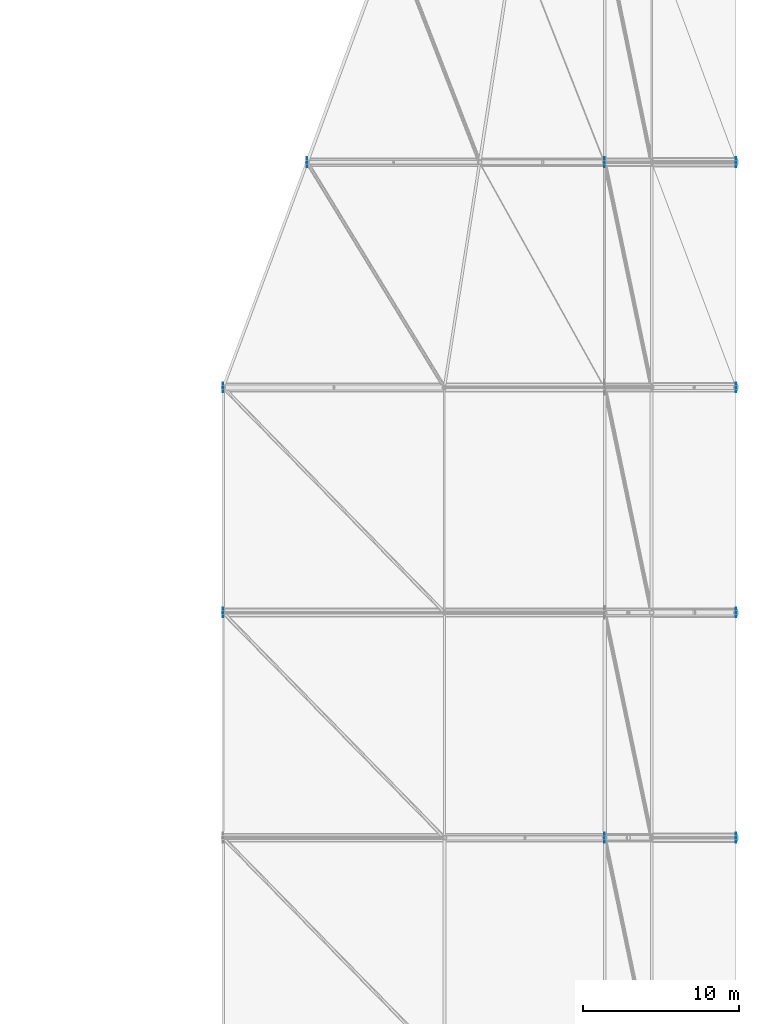
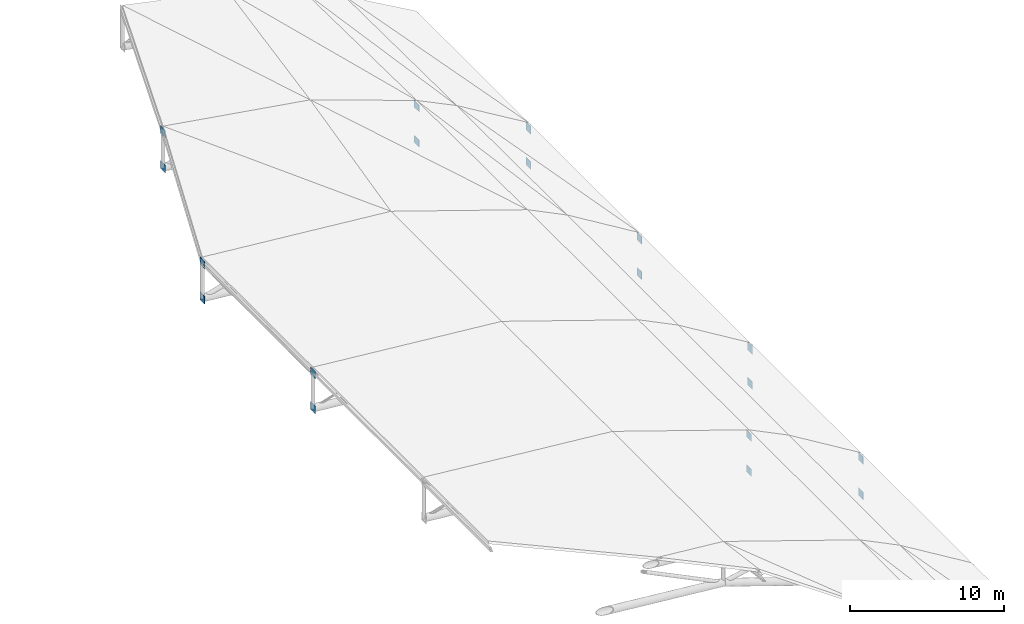
# One storey, part 34 of 36: 18 plates.
"""IFC4 building model written with IfcOpenShell, lengths in metres."""

from ifc_helpers import new_model, si_unit, direction, frame, origin, origin_2d, place, context, subcontext, project, spatial, rectangle, extrude, material, layer, layer_set, type_object, element, save


model = new_model("IFC4")

# Units and contexts
model_context = context("Model", 3, precision=1e-05, world=origin(), true_north=direction((0.0, 1.0)))
body_context = subcontext(model_context, "Body", "Model", "MODEL_VIEW")
ifc_project = project(units=[si_unit("LENGTHUNIT", "METRE"), si_unit("AREAUNIT", "SQUARE_METRE"), si_unit("VOLUMEUNIT", "CUBIC_METRE"), si_unit("PLANEANGLEUNIT", "RADIAN"), si_unit("MASSUNIT", "GRAM", prefix="KILO")], contexts=[model_context])

# Site, building, storey
site_placement = place(None, origin())
site = spatial("IfcSite", under=ifc_project, at=site_placement, CompositionType="ELEMENT")
building_placement = place(site_placement, origin())
building = spatial("IfcBuilding", under=site, at=building_placement, Name="Koshinbarg Plaza Stadium", CompositionType="ELEMENT")
storey_placement = place(building_placement, frame((0.0, 0.0, 34.199951171875)))
storey = spatial("IfcBuildingStorey", under=building, at=storey_placement, Name="RF", CompositionType="ELEMENT", Elevation=34.199951171875)

# Plates
ifc_material = material(Name="Steel S355", Category="steel")
ifc_layer_1 = layer(ifc_material, 0.02490234375)
ifc_layer_set_1 = layer_set([ifc_layer_1], Name="Steel S355")
plate_type_1 = type_object("IfcPlateType", Name="PLT-GUS-01", PredefinedType="USERDEFINED", material=ifc_layer_set_1)
for number, where, z_axis, x_axis, name in (
    (1, (189.39990234375, 68.699951171875, 2.48486328125), (0.0, 0.0, 1.0), (1.0, 0.0, 0.0), "Roof truss node cap plate KN-03 ERB-04-3T"),
    (2, (189.39990234375, 68.699951171875, -0.31494140625), (0.0, 0.0, 1.0), (1.0, 0.0, 0.0), "Roof truss node cap plate KN-03 ERB-04-3B"),
    (3, (189.39990234375, 111.89990234375, 2.421875), (0.0, 0.0, 1.0), (1.0, 0.0, 0.0), "Roof truss node cap plate KN-03 ERB-07-3T"),
    (4, (189.39990234375, 111.89990234375, -0.3779296875), (0.0, 0.0, 1.0), (1.0, 0.0, 0.0), "Roof truss node cap plate KN-03 ERB-07-3B"),
):
    element("IfcPlate", number, at=place(storey_placement, frame(where, z_axis=z_axis, x_axis=x_axis)), inside=storey, type_object=plate_type_1, Name=name, ObjectType="GUSSET_PLATE", PredefinedType="USERDEFINED", context=body_context, shape_type="SweptSolid", body=[
        extrude(rectangle(XDim=0.02490234375, YDim=0.64990234375, at=origin_2d()), origin(), (0.0, 0.0, 1.0), 0.550048828125),
    ])
ifc_layer_2 = layer(ifc_material, 0.02001953125)
ifc_layer_set_2 = layer_set([ifc_layer_2], Name="Steel S355")
plate_type_2 = type_object("IfcPlateType", Name="PLT-GUS-04", PredefinedType="USERDEFINED", material=ifc_layer_set_2)
for number, where, z_axis, x_axis, name in (
    (5, (197.800048828125, 68.699951171875, -2.31005859375), (0.0, 0.0, 1.0), (1.0, 0.0, 0.0), "Roof truss node cap plate KN-01 ERB-04-1T"),
    (6, (197.800048828125, 68.699951171875, -5.110107421875), (0.0, 0.0, 1.0), (1.0, 0.0, 0.0), "Roof truss node cap plate KN-01 ERB-04-1B"),
    (7, (197.800048828125, 83.10009765625, -2.31005859375), (0.0, 0.0, 1.0), (1.0, 0.0, 0.0), "Roof truss node cap plate KN-01 ERB-05-1T"),
    (8, (197.800048828125, 83.10009765625, -5.110107421875), (0.0, 0.0, 1.0), (1.0, 0.0, 0.0), "Roof truss node cap plate KN-01 ERB-05-1B"),
    (9, (165.0, 83.10009765625, 7.236328125), (0.0, 0.0, 1.0), (1.0, 0.0, 0.0), "Roof truss node cap plate KN-02 ERB-05-5T"),
    (10, (165.0, 83.10009765625, 4.436279296875), (0.0, 0.0, 1.0), (1.0, 0.0, 0.0), "Roof truss node cap plate KN-02 ERB-05-5B"),
    (11, (197.800048828125, 97.5, -2.31005859375), (0.0, 0.0, 1.0), (1.0, 0.0, 0.0), "Roof truss node cap plate KN-01 ERB-06-1T"),
    (12, (197.800048828125, 97.5, -5.110107421875), (0.0, 0.0, 1.0), (1.0, 0.0, 0.0), "Roof truss node cap plate KN-01 ERB-06-1B"),
    (13, (165.0, 97.5, 7.236328125), (0.0, 0.0, 1.0), (1.0, 0.0, 0.0), "Roof truss node cap plate KN-02 ERB-06-5T"),
    (14, (165.0, 97.5, 4.436279296875), (0.0, 0.0, 1.0), (1.0, 0.0, 0.0), "Roof truss node cap plate KN-02 ERB-06-5B"),
    (15, (197.800048828125, 111.89990234375, -2.31005859375), (0.0, 0.0, 1.0), (1.0, 0.0, 0.0), "Roof truss node cap plate KN-01 ERB-07-1T"),
    (16, (197.800048828125, 111.89990234375, -5.110107421875), (0.0, 0.0, 1.0), (1.0, 0.0, 0.0), "Roof truss node cap plate KN-01 ERB-07-1B"),
    (17, (170.367919921875, 111.89990234375, 7.00927734375), (0.0, 0.0, 1.0), (1.0, 0.0, 0.0), "Roof truss node cap plate KN-02 ERB-07-5T"),
    (18, (170.367919921875, 111.89990234375, 4.209228515625), (0.0, 0.0, 1.0), (1.0, 0.0, 0.0), "Roof truss node cap plate KN-02 ERB-07-5B"),
):
    element("IfcPlate", number, at=place(storey_placement, frame(where, z_axis=z_axis, x_axis=x_axis)), inside=storey, type_object=plate_type_2, Name=name, ObjectType="GUSSET_PLATE", PredefinedType="USERDEFINED", context=body_context, shape_type="SweptSolid", body=[
        extrude(rectangle(XDim=0.02001953125, YDim=0.6201171875, at=origin_2d()), origin(), (0.0, 0.0, 1.0), 0.6201171875),
    ])

save(model, "model.ifc")
